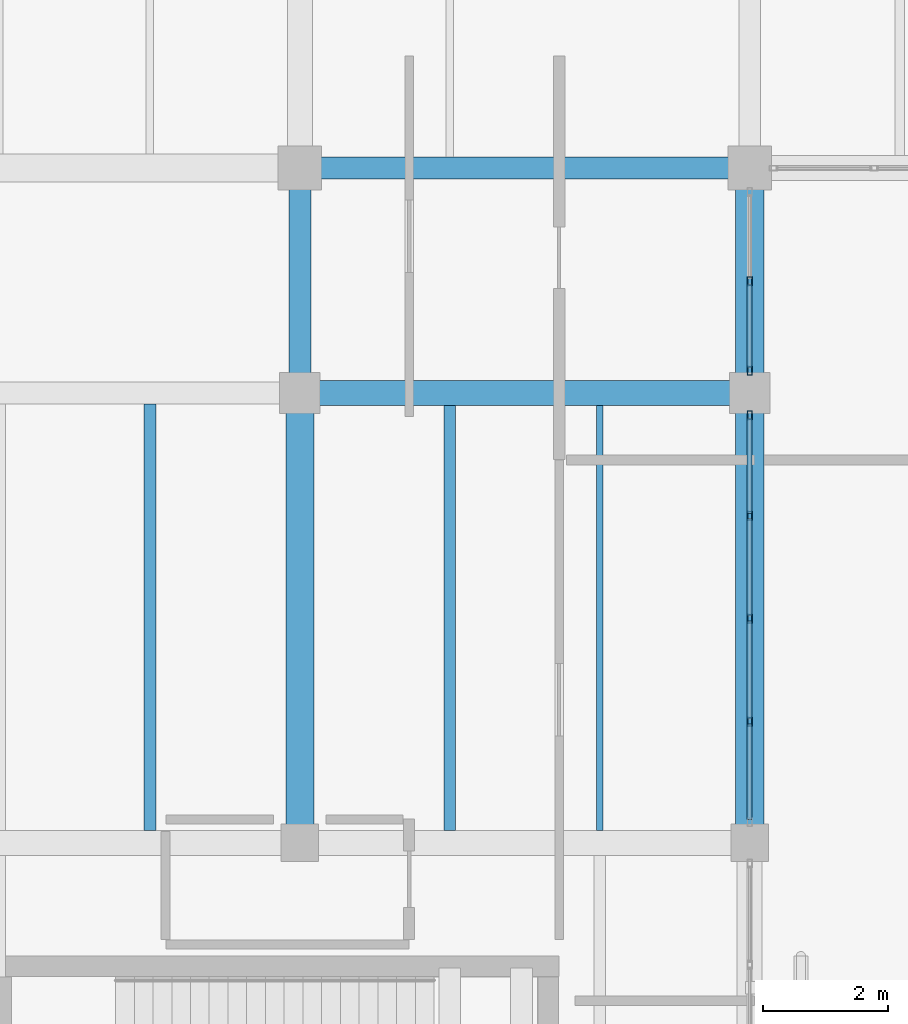
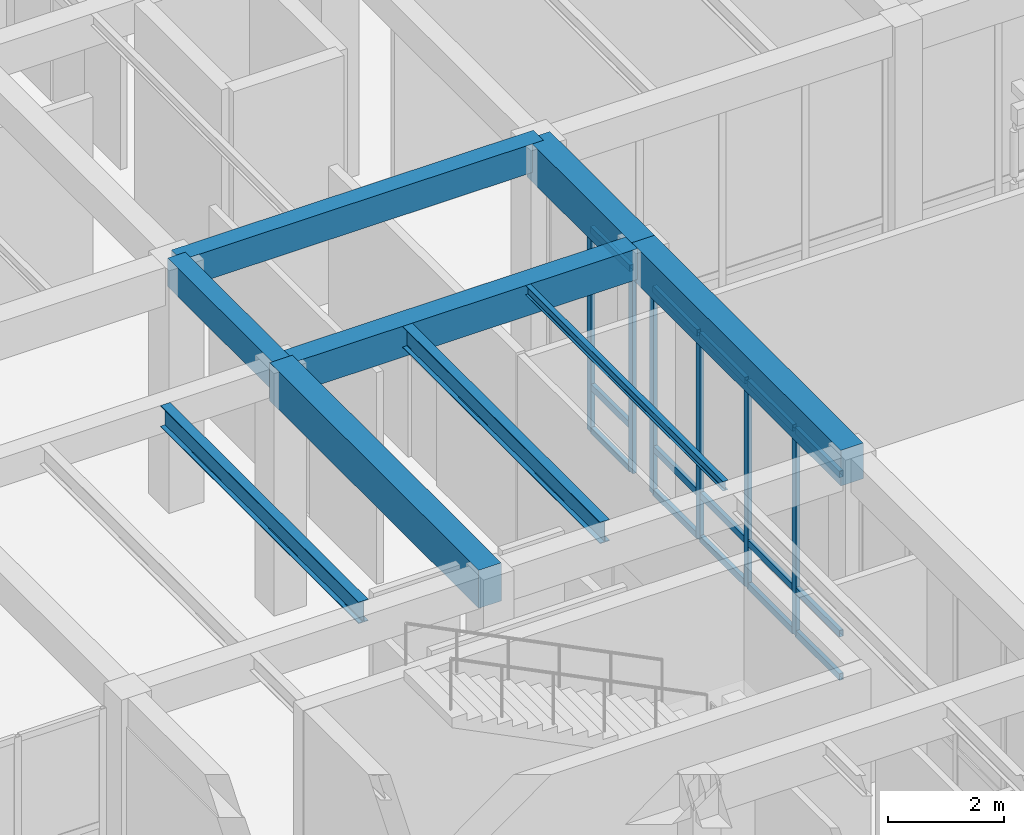
# One storey, part 98 of 169: 21 members, 9 beams, 2 elements without a shape of their own.
"""IFC4 building model written with IfcOpenShell, lengths in metres."""

from ifc_helpers import new_model, si_unit, direction, frame, origin, origin_2d, place, context, subcontext, project, spatial, rectangle, hollow_rectangle, i_section, extrude, material, layer, layer_set, material_profile, profile_set, type_object, element, aggregate, save


model = new_model("IFC4")

# Units and contexts
model_context = context("Model", 3, precision=1e-05, world=origin(), true_north=direction((0.0, 1.0)))
body_context = subcontext(model_context, "Body", "Model", "MODEL_VIEW")
ifc_project = project(units=[si_unit("LENGTHUNIT", "METRE"), si_unit("AREAUNIT", "SQUARE_METRE"), si_unit("VOLUMEUNIT", "CUBIC_METRE"), si_unit("PLANEANGLEUNIT", "RADIAN"), si_unit("MASSUNIT", "GRAM", prefix="KILO")], contexts=[model_context])

# Site, building, storey
site_placement = place(None, origin())
site = spatial("IfcSite", under=ifc_project, at=site_placement, CompositionType="ELEMENT")
building_placement = place(site_placement, origin())
building = spatial("IfcBuilding", under=site, at=building_placement, Name="Mazaris Harbour Polytechnic", CompositionType="ELEMENT")
storey_placement = place(building_placement, origin())
storey = spatial("IfcBuildingStorey", under=building, at=storey_placement, Name="L00", CompositionType="ELEMENT", Elevation=0.0)

# Curtain wall, members
ifc_material_1 = material(Name="Anodised Bronze Aluminium and Low-E Glass", Category="aluminium")
ifc_layer = layer(ifc_material_1, 0.169921875, Name="Anodised Bronze Aluminium and Low-E Glass")
ifc_layer_set = layer_set([ifc_layer], Name="Anodised Bronze Aluminium and Low-E Glass")
curtain_wall_type = type_object("IfcCurtainWallType", Name="Studio North-Light Curtain Wall", PredefinedType="NOTDEFINED", material=ifc_layer_set)
curtain_wall_1_placement = place(storey_placement, origin())
curtain_wall_1 = element("IfcCurtainWall", 1, at=curtain_wall_1_placement, inside=storey, type_object=curtain_wall_type, Name="V5 L00 Curtain Wall 199", PredefinedType="NOTDEFINED")
ifc_material_2 = material(Name="Anodised Bronze Steel S355", Category="steel")
ifc_material_profile_1 = material_profile(ifc_material_2, hollow_rectangle(XDim=0.080078125, YDim=0.139892578125, WallThickness=0.00634765625, at=origin_2d()), Name="RHS 80x140x6.3")
ifc_profile_set_1 = profile_set([ifc_material_profile_1], Name="Anodised Bronze Steel S355")
member_type_1 = type_object("IfcMemberType", Name="Curtain Mullion RHS80x140", PredefinedType="MULLION", material=ifc_profile_set_1)
member_1_placement = place(storey_placement, frame((136.800048828125, 77.539794921875, 0.0), z_axis=(0.0, 0.0, 1.0), x_axis=(-1.0, 0.0, 0.0)))
member_1 = element("IfcMember", 2, at=member_1_placement, type_object=member_type_1, Name="CW-03 mullion 2", PredefinedType="MULLION", context=body_context, shape_type="SweptSolid", body=[
    extrude(hollow_rectangle(XDim=0.080078125, YDim=0.139892578125, WallThickness=0.00634765625, at=origin_2d()), origin(), (0.0, 0.0, 1.0), 4.340087890625),
])
member_2_placement = place(storey_placement, frame((136.800048828125, 79.1875, 0.0), z_axis=(0.0, 0.0, 1.0), x_axis=(-1.0, 0.0, 0.0)))
member_2 = element("IfcMember", 3, at=member_2_placement, type_object=member_type_1, Name="CW-03 mullion 3", PredefinedType="MULLION", context=body_context, shape_type="SweptSolid", body=[
    extrude(hollow_rectangle(XDim=0.080078125, YDim=0.139892578125, WallThickness=0.00634765625, at=origin_2d()), origin(), (0.0, 0.0, 1.0), 4.340087890625),
])
member_3_placement = place(storey_placement, frame((136.800048828125, 80.835205078125, 0.0), z_axis=(0.0, 0.0, 1.0), x_axis=(-1.0, 0.0, 0.0)))
member_3 = element("IfcMember", 4, at=member_3_placement, type_object=member_type_1, Name="CW-03 mullion 4", PredefinedType="MULLION", context=body_context, shape_type="SweptSolid", body=[
    extrude(hollow_rectangle(XDim=0.080078125, YDim=0.139892578125, WallThickness=0.00634765625, at=origin_2d()), origin(), (0.0, 0.0, 1.0), 4.340087890625),
])
member_4_placement = place(storey_placement, frame((136.800048828125, 82.443115234375, 0.0), z_axis=(0.0, 0.0, 1.0), x_axis=(-1.0, 0.0, 0.0)))
member_4 = element("IfcMember", 5, at=member_4_placement, type_object=member_type_1, Name="CW-03 mullion 5", PredefinedType="MULLION", context=body_context, shape_type="SweptSolid", body=[
    extrude(hollow_rectangle(XDim=0.080078125, YDim=0.139892578125, WallThickness=0.00634765625, at=origin_2d()), origin(), (0.0, 0.0, 1.0), 4.340087890625),
])

curtain_wall_2_placement = place(storey_placement, origin())
curtain_wall_2 = element("IfcCurtainWall", 6, at=curtain_wall_2_placement, inside=storey, type_object=curtain_wall_type, Name="V5 L00 Curtain Wall 200", PredefinedType="NOTDEFINED")
member_5_placement = place(storey_placement, frame((136.800048828125, 83.156982421875, 0.0), z_axis=(0.0, 0.0, 1.0), x_axis=(-1.0, 0.0, 0.0)))
member_5 = element("IfcMember", 7, at=member_5_placement, type_object=member_type_1, Name="CW-03 mullion 1", PredefinedType="MULLION", context=body_context, shape_type="SweptSolid", body=[
    extrude(hollow_rectangle(XDim=0.080078125, YDim=0.139892578125, WallThickness=0.00634765625, at=origin_2d()), origin(), (0.0, 0.0, 1.0), 4.2900390625),
])
member_6_placement = place(storey_placement, frame((136.800048828125, 84.58740234375, 0.0), z_axis=(0.0, 0.0, 1.0), x_axis=(-1.0, 0.0, 0.0)))
member_6 = element("IfcMember", 8, at=member_6_placement, type_object=member_type_1, Name="CW-03 mullion 2", PredefinedType="MULLION", context=body_context, shape_type="SweptSolid", body=[
    extrude(hollow_rectangle(XDim=0.080078125, YDim=0.139892578125, WallThickness=0.00634765625, at=origin_2d()), origin(), (0.0, 0.0, 1.0), 4.2900390625),
])

# Member
ifc_material_3 = material(Name="Anodised Bronze Steel S355", Category="steel")
ifc_material_profile_2 = material_profile(ifc_material_3, hollow_rectangle(XDim=0.080078125, YDim=0.139892578125, WallThickness=0.00634765625, at=origin_2d()), Name="RHS 80x140x6.3")
ifc_profile_set_2 = profile_set([ifc_material_profile_2], Name="Anodised Bronze Steel S355")
member_type_2 = type_object("IfcMemberType", Name="Curtain Transom RHS80x140", PredefinedType="USERDEFINED", material=ifc_profile_set_2)
member_7_placement = place(storey_placement, frame((136.800048828125, 75.971923828125, 0.0400390625), z_axis=(0.0, 1.0, 0.0), x_axis=(-1.0, 0.0, 0.0)))
member_7 = element("IfcMember", 9, at=member_7_placement, type_object=member_type_2, Name="CW-03 transom 1.1", ObjectType="TRANSOM", PredefinedType="USERDEFINED", context=body_context, shape_type="SweptSolid", body=[
    extrude(hollow_rectangle(XDim=0.080078125, YDim=0.139892578125, WallThickness=0.00634765625, at=origin_2d()), origin(), (0.0, 0.0, 1.0), 1.52783203125),
])

member_8_placement = place(storey_placement, frame((136.800048828125, 75.971923828125, 0.949951171875), z_axis=(0.0, 1.0, 0.0), x_axis=(-1.0, 0.0, 0.0)))
member_8 = element("IfcMember", 10, at=member_8_placement, type_object=member_type_2, Name="CW-03 transom 1.2", ObjectType="TRANSOM", PredefinedType="USERDEFINED", context=body_context, shape_type="SweptSolid", body=[
    extrude(hollow_rectangle(XDim=0.080078125, YDim=0.139892578125, WallThickness=0.00634765625, at=origin_2d()), origin(), (0.0, 0.0, 1.0), 1.52783203125),
])

member_9_placement = place(storey_placement, frame((136.800048828125, 75.971923828125, 4.300048828125), z_axis=(0.0, 1.0, 0.0), x_axis=(-1.0, 0.0, 0.0)))
member_9 = element("IfcMember", 11, at=member_9_placement, type_object=member_type_2, Name="CW-03 transom 1.3", ObjectType="TRANSOM", PredefinedType="USERDEFINED", context=body_context, shape_type="SweptSolid", body=[
    extrude(hollow_rectangle(XDim=0.080078125, YDim=0.139892578125, WallThickness=0.00634765625, at=origin_2d()), origin(), (0.0, 0.0, 1.0), 1.52783203125),
])

member_10_placement = place(storey_placement, frame((136.800048828125, 77.579833984375, 0.0400390625), z_axis=(0.0, 1.0, 0.0), x_axis=(-1.0, 0.0, 0.0)))
member_10 = element("IfcMember", 12, at=member_10_placement, type_object=member_type_2, Name="CW-03 transom 2.1", ObjectType="TRANSOM", PredefinedType="USERDEFINED", context=body_context, shape_type="SweptSolid", body=[
    extrude(hollow_rectangle(XDim=0.080078125, YDim=0.139892578125, WallThickness=0.00634765625, at=origin_2d()), origin(), (0.0, 0.0, 1.0), 1.567626953125),
])

member_11_placement = place(storey_placement, frame((136.800048828125, 77.579833984375, 0.949951171875), z_axis=(0.0, 1.0, 0.0), x_axis=(-1.0, 0.0, 0.0)))
member_11 = element("IfcMember", 13, at=member_11_placement, type_object=member_type_2, Name="CW-03 transom 2.2", ObjectType="TRANSOM", PredefinedType="USERDEFINED", context=body_context, shape_type="SweptSolid", body=[
    extrude(hollow_rectangle(XDim=0.080078125, YDim=0.139892578125, WallThickness=0.00634765625, at=origin_2d()), origin(), (0.0, 0.0, 1.0), 1.567626953125),
])

member_12_placement = place(storey_placement, frame((136.800048828125, 77.579833984375, 4.300048828125), z_axis=(0.0, 1.0, 0.0), x_axis=(-1.0, 0.0, 0.0)))
member_12 = element("IfcMember", 14, at=member_12_placement, type_object=member_type_2, Name="CW-03 transom 2.3", ObjectType="TRANSOM", PredefinedType="USERDEFINED", context=body_context, shape_type="SweptSolid", body=[
    extrude(hollow_rectangle(XDim=0.080078125, YDim=0.139892578125, WallThickness=0.00634765625, at=origin_2d()), origin(), (0.0, 0.0, 1.0), 1.567626953125),
])

member_13_placement = place(storey_placement, frame((136.800048828125, 79.2275390625, 0.0400390625), z_axis=(0.0, 1.0, 0.0), x_axis=(-1.0, 0.0, 0.0)))
member_13 = element("IfcMember", 15, at=member_13_placement, type_object=member_type_2, Name="CW-03 transom 3.1", ObjectType="TRANSOM", PredefinedType="USERDEFINED", context=body_context, shape_type="SweptSolid", body=[
    extrude(hollow_rectangle(XDim=0.080078125, YDim=0.139892578125, WallThickness=0.00634765625, at=origin_2d()), origin(), (0.0, 0.0, 1.0), 1.567626953125),
])

member_14_placement = place(storey_placement, frame((136.800048828125, 79.2275390625, 0.949951171875), z_axis=(0.0, 1.0, 0.0), x_axis=(-1.0, 0.0, 0.0)))
member_14 = element("IfcMember", 16, at=member_14_placement, type_object=member_type_2, Name="CW-03 transom 3.2", ObjectType="TRANSOM", PredefinedType="USERDEFINED", context=body_context, shape_type="SweptSolid", body=[
    extrude(hollow_rectangle(XDim=0.080078125, YDim=0.139892578125, WallThickness=0.00634765625, at=origin_2d()), origin(), (0.0, 0.0, 1.0), 1.567626953125),
])

member_15_placement = place(storey_placement, frame((136.800048828125, 79.2275390625, 4.300048828125), z_axis=(0.0, 1.0, 0.0), x_axis=(-1.0, 0.0, 0.0)))
member_15 = element("IfcMember", 17, at=member_15_placement, type_object=member_type_2, Name="CW-03 transom 3.3", ObjectType="TRANSOM", PredefinedType="USERDEFINED", context=body_context, shape_type="SweptSolid", body=[
    extrude(hollow_rectangle(XDim=0.080078125, YDim=0.139892578125, WallThickness=0.00634765625, at=origin_2d()), origin(), (0.0, 0.0, 1.0), 1.567626953125),
])

member_16_placement = place(storey_placement, frame((136.800048828125, 80.875244140625, 0.0400390625), z_axis=(0.0, 1.0, 0.0), x_axis=(-1.0, 0.0, 0.0)))
member_16 = element("IfcMember", 18, at=member_16_placement, type_object=member_type_2, Name="CW-03 transom 4.1", ObjectType="TRANSOM", PredefinedType="USERDEFINED", context=body_context, shape_type="SweptSolid", body=[
    extrude(hollow_rectangle(XDim=0.080078125, YDim=0.139892578125, WallThickness=0.00634765625, at=origin_2d()), origin(), (0.0, 0.0, 1.0), 1.52783203125),
])

member_17_placement = place(storey_placement, frame((136.800048828125, 80.875244140625, 0.949951171875), z_axis=(0.0, 1.0, 0.0), x_axis=(-1.0, 0.0, 0.0)))
member_17 = element("IfcMember", 19, at=member_17_placement, type_object=member_type_2, Name="CW-03 transom 4.2", ObjectType="TRANSOM", PredefinedType="USERDEFINED", context=body_context, shape_type="SweptSolid", body=[
    extrude(hollow_rectangle(XDim=0.080078125, YDim=0.139892578125, WallThickness=0.00634765625, at=origin_2d()), origin(), (0.0, 0.0, 1.0), 1.52783203125),
])

member_18_placement = place(storey_placement, frame((136.800048828125, 80.875244140625, 4.300048828125), z_axis=(0.0, 1.0, 0.0), x_axis=(-1.0, 0.0, 0.0)))
member_18 = element("IfcMember", 20, at=member_18_placement, type_object=member_type_2, Name="CW-03 transom 4.3", ObjectType="TRANSOM", PredefinedType="USERDEFINED", context=body_context, shape_type="SweptSolid", body=[
    extrude(hollow_rectangle(XDim=0.080078125, YDim=0.139892578125, WallThickness=0.00634765625, at=origin_2d()), origin(), (0.0, 0.0, 1.0), 1.52783203125),
])

aggregate(curtain_wall_1, [member_1, member_2, member_3, member_4, member_7, member_8, member_9, member_10, member_11, member_12, member_13, member_14, member_15, member_16, member_17, member_18])

member_19_placement = place(storey_placement, frame((136.800048828125, 83.197021484375, 0.0400390625), z_axis=(0.0, 1.0, 0.0), x_axis=(-1.0, 0.0, 0.0)))
member_19 = element("IfcMember", 21, at=member_19_placement, type_object=member_type_2, Name="CW-03 transom 1.1", ObjectType="TRANSOM", PredefinedType="USERDEFINED", context=body_context, shape_type="SweptSolid", body=[
    extrude(hollow_rectangle(XDim=0.080078125, YDim=0.139892578125, WallThickness=0.00634765625, at=origin_2d()), origin(), (0.0, 0.0, 1.0), 1.3505859375),
])

member_20_placement = place(storey_placement, frame((136.800048828125, 83.197021484375, 0.949951171875), z_axis=(0.0, 1.0, 0.0), x_axis=(-1.0, 0.0, 0.0)))
member_20 = element("IfcMember", 22, at=member_20_placement, type_object=member_type_2, Name="CW-03 transom 1.2", ObjectType="TRANSOM", PredefinedType="USERDEFINED", context=body_context, shape_type="SweptSolid", body=[
    extrude(hollow_rectangle(XDim=0.080078125, YDim=0.139892578125, WallThickness=0.00634765625, at=origin_2d()), origin(), (0.0, 0.0, 1.0), 1.3505859375),
])

member_21_placement = place(storey_placement, frame((136.800048828125, 83.197021484375, 4.25), z_axis=(0.0, 1.0, 0.0), x_axis=(-1.0, 0.0, 0.0)))
member_21 = element("IfcMember", 23, at=member_21_placement, type_object=member_type_2, Name="CW-03 transom 1.3", ObjectType="TRANSOM", PredefinedType="USERDEFINED", context=body_context, shape_type="SweptSolid", body=[
    extrude(hollow_rectangle(XDim=0.080078125, YDim=0.139892578125, WallThickness=0.00634765625, at=origin_2d()), origin(), (0.0, 0.0, 1.0), 1.3505859375),
])

aggregate(curtain_wall_2, [member_5, member_6, member_19, member_20, member_21])

# Beams
ifc_material_4 = material(Name="Concrete C35/45", Category="concrete")
ifc_material_profile_3 = material_profile(ifc_material_4, rectangle(XDim=0.35009765625, YDim=0.60009765625, at=origin_2d()), Name="RECT350x600")
ifc_profile_set_3 = profile_set([ifc_material_profile_3], Name="Concrete C35/45")
beam_type_1 = type_object("IfcBeamType", Name="RC Girder 350x600", PredefinedType="BEAM", material=ifc_profile_set_3)
beam_1_placement = place(storey_placement, frame((129.60009765625, 86.39990234375, 4.800048828125), z_axis=(1.0, 0.0, 0.0), x_axis=(0.0, 1.0, 0.0)))
element("IfcBeam", 24, at=beam_1_placement, inside=storey, type_object=beam_type_1, Name="V5 L00 Girder 2730", PredefinedType="BEAM", context=body_context, shape_type="SweptSolid", body=[
    extrude(rectangle(XDim=0.35009765625, YDim=0.60009765625, at=origin_2d()), origin(), (0.0, 0.0, 1.0), 7.199951171875),
])
beam_2_placement = place(storey_placement, frame((129.60009765625, 82.800048828125, 4.800048828125), z_axis=(0.0, 1.0, 0.0), x_axis=(-1.0, 0.0, 0.0)))
element("IfcBeam", 25, at=beam_2_placement, inside=storey, type_object=beam_type_1, Name="V5 L00 Tie Girder 2770", PredefinedType="BEAM", context=body_context, shape_type="SweptSolid", body=[
    extrude(rectangle(XDim=0.35009765625, YDim=0.60009765625, at=origin_2d()), origin(), (0.0, 0.0, 1.0), 3.599853515625),
])
ifc_material_5 = material(Name="Concrete C35/45", Category="concrete")
ifc_material_profile_4 = material_profile(ifc_material_5, rectangle(XDim=0.39990234375, YDim=0.64990234375, at=origin_2d()), Name="RECT400x650")
ifc_profile_set_4 = profile_set([ifc_material_profile_4], Name="Concrete C35/45")
beam_type_2 = type_object("IfcBeamType", Name="RC Girder 400x650", PredefinedType="BEAM", material=ifc_profile_set_4)
beam_3_placement = place(storey_placement, frame((129.60009765625, 82.800048828125, 4.77490234375), z_axis=(1.0, 0.0, 0.0), x_axis=(0.0, 1.0, 0.0)))
element("IfcBeam", 26, at=beam_3_placement, inside=storey, type_object=beam_type_2, Name="V5 L00 Girder 2726", PredefinedType="BEAM", context=body_context, shape_type="SweptSolid", body=[
    extrude(rectangle(XDim=0.39990234375, YDim=0.64990234375, at=origin_2d()), origin(), (0.0, 0.0, 1.0), 7.199951171875),
])
ifc_material_6 = material(Name="Concrete C40/50", Category="concrete")
ifc_material_profile_5 = material_profile(ifc_material_6, rectangle(XDim=0.449951171875, YDim=0.75, at=origin_2d()), Name="RECT450x750")
ifc_profile_set_5 = profile_set([ifc_material_profile_5], Name="Concrete C40/50")
beam_type_3 = type_object("IfcBeamType", Name="RC Girder 450x750", PredefinedType="BEAM", material=ifc_profile_set_5)
beam_4_placement = place(storey_placement, frame((136.800048828125, 75.60009765625, 4.72509765625), z_axis=(0.0, 1.0, 0.0), x_axis=(-1.0, 0.0, 0.0)))
element("IfcBeam", 27, at=beam_4_placement, inside=storey, type_object=beam_type_3, Name="V5 L00 Tie Girder 2778", PredefinedType="BEAM", context=body_context, shape_type="SweptSolid", body=[
    extrude(rectangle(XDim=0.449951171875, YDim=0.75, at=origin_2d()), origin(), (0.0, 0.0, 1.0), 7.199951171875),
])
ifc_material_7 = material(Name="Concrete C40/50", Category="concrete")
ifc_material_profile_6 = material_profile(ifc_material_7, rectangle(XDim=0.449951171875, YDim=0.800048828125, at=origin_2d()), Name="RECT450x800")
ifc_profile_set_6 = profile_set([ifc_material_profile_6], Name="Concrete C40/50")
beam_type_4 = type_object("IfcBeamType", Name="RC Girder 450x800", PredefinedType="BEAM", material=ifc_profile_set_6)
beam_5_placement = place(storey_placement, frame((129.60009765625, 75.60009765625, 4.699951171875), z_axis=(0.0, 1.0, 0.0), x_axis=(-1.0, 0.0, 0.0)))
element("IfcBeam", 28, at=beam_5_placement, inside=storey, type_object=beam_type_4, Name="V5 L00 Tie Girder 2769", PredefinedType="BEAM", context=body_context, shape_type="SweptSolid", body=[
    extrude(rectangle(XDim=0.449951171875, YDim=0.800048828125, at=origin_2d()), origin(), (0.0, 0.0, 1.0), 7.199951171875),
])
beam_6_placement = place(storey_placement, frame((136.800048828125, 82.800048828125, 4.699951171875), z_axis=(0.0, 1.0, 0.0), x_axis=(-1.0, 0.0, 0.0)))
element("IfcBeam", 29, at=beam_6_placement, inside=storey, type_object=beam_type_4, Name="V5 L00 Tie Girder 2779", PredefinedType="BEAM", context=body_context, shape_type="SweptSolid", body=[
    extrude(rectangle(XDim=0.449951171875, YDim=0.800048828125, at=origin_2d()), origin(), (0.0, 0.0, 1.0), 3.599853515625),
])
ifc_material_8 = material(Name="Steel S355", Category="steel")
ifc_material_profile_7 = material_profile(ifc_material_8, i_section(OverallWidth=0.10009765625, OverallDepth=0.199951171875, WebThickness=0.005615234375, FlangeThickness=0.008544921875, FilletRadius=0.011962890625, at=origin_2d()), Name="IPE 200")
ifc_profile_set_7 = profile_set([ifc_material_profile_7], Name="Steel S355")
beam_type_5 = type_object("IfcBeamType", Name="Steel Joist IPE200", PredefinedType="JOIST", material=ifc_profile_set_7)
beam_7_placement = place(storey_placement, frame((134.39990234375, 75.800048828125, 5.0), z_axis=(0.0, 1.0, 0.0), x_axis=(-1.0, 0.0, 0.0)))
element("IfcBeam", 30, at=beam_7_placement, inside=storey, type_object=beam_type_5, Name="V5 L00 Floor Joist 2842", PredefinedType="JOIST", context=body_context, shape_type="SweptSolid", body=[
    extrude(i_section(OverallWidth=0.10009765625, OverallDepth=0.199951171875, WebThickness=0.005615234375, FlangeThickness=0.008544921875, FilletRadius=0.011962890625, at=origin_2d()), origin(), (0.0, 0.0, 1.0), 6.800048828125),
])
ifc_material_9 = material(Name="Steel S355", Category="steel")
ifc_material_profile_8 = material_profile(ifc_material_9, i_section(OverallWidth=0.18994140625, OverallDepth=0.449951171875, WebThickness=0.009521484375, FlangeThickness=0.0146484375, FilletRadius=0.02099609375, at=origin_2d()), Name="IPE 450")
ifc_profile_set_8 = profile_set([ifc_material_profile_8], Name="Steel S355")
beam_type_6 = type_object("IfcBeamType", Name="Steel Joist IPE450", PredefinedType="JOIST", material=ifc_profile_set_8)
beam_8_placement = place(storey_placement, frame((127.199951171875, 75.800048828125, 4.875), z_axis=(0.0, 1.0, 0.0), x_axis=(-1.0, 0.0, 0.0)))
element("IfcBeam", 31, at=beam_8_placement, inside=storey, type_object=beam_type_6, Name="V5 L00 Floor Joist 2827", PredefinedType="JOIST", context=body_context, shape_type="SweptSolid", body=[
    extrude(i_section(OverallWidth=0.18994140625, OverallDepth=0.449951171875, WebThickness=0.009521484375, FlangeThickness=0.0146484375, FilletRadius=0.02099609375, at=origin_2d()), origin(), (0.0, 0.0, 1.0), 6.824951171875),
])
beam_9_placement = place(storey_placement, frame((132.0, 75.800048828125, 4.875), z_axis=(0.0, 1.0, 0.0), x_axis=(-1.0, 0.0, 0.0)))
element("IfcBeam", 32, at=beam_9_placement, inside=storey, type_object=beam_type_6, Name="V5 L00 Floor Joist 2841", PredefinedType="JOIST", context=body_context, shape_type="SweptSolid", body=[
    extrude(i_section(OverallWidth=0.18994140625, OverallDepth=0.449951171875, WebThickness=0.009521484375, FlangeThickness=0.0146484375, FilletRadius=0.02099609375, at=origin_2d()), origin(), (0.0, 0.0, 1.0), 6.800048828125),
])

save(model, "model.ifc")
